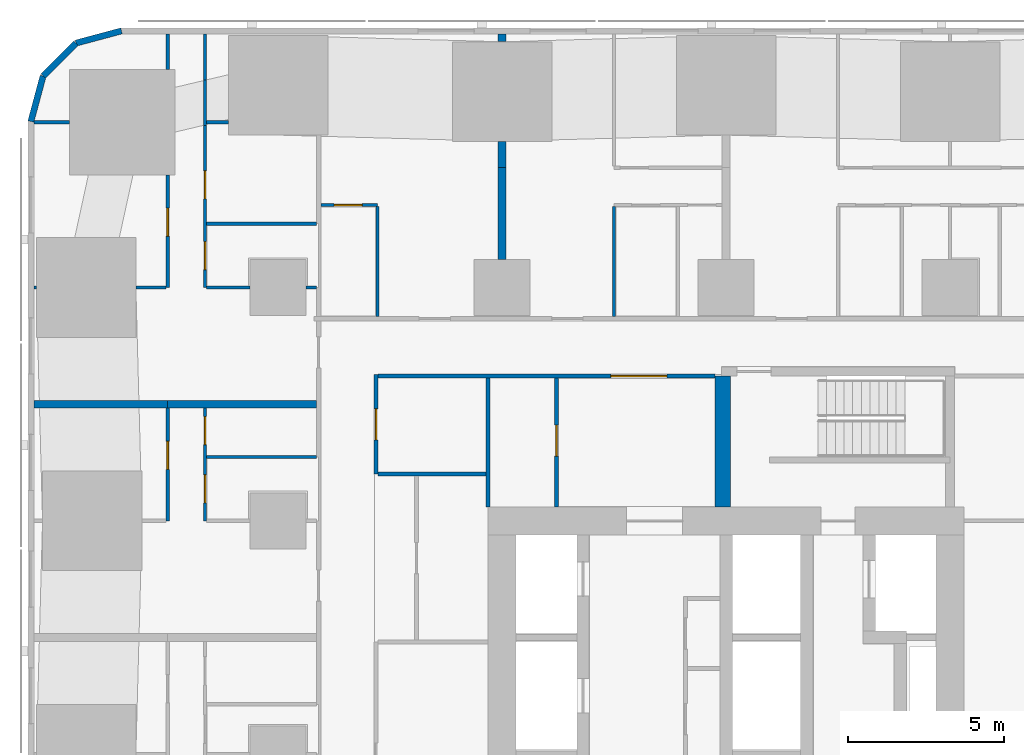
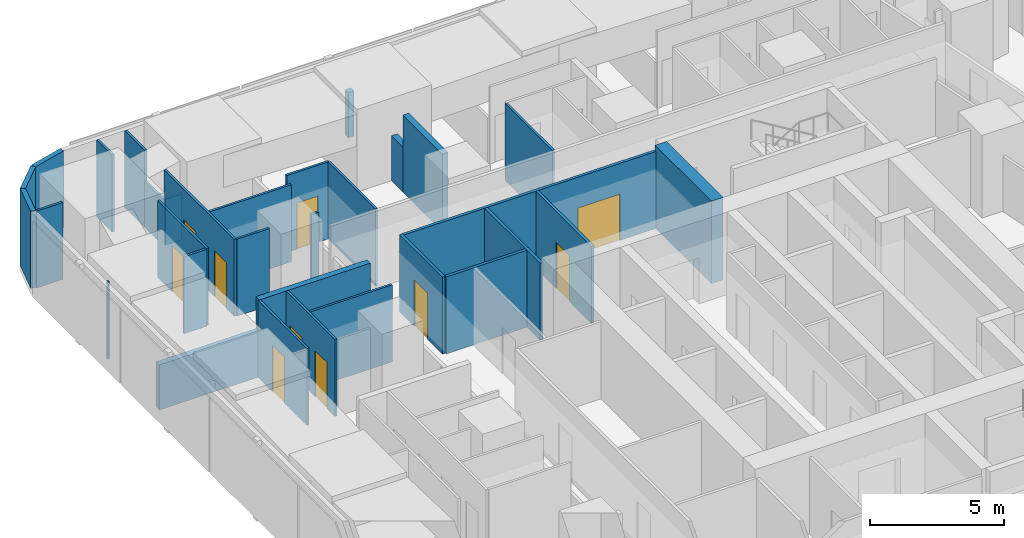
# One storey, part 11 of 17: 32 walls, 10 doors, 10 openings.
"""IFC4 building model written with IfcOpenShell, lengths in metres."""

from ifc_helpers import new_model, si_unit, direction, frame, frame_2d, origin, place, context, subcontext, project, spatial, rectangle, extrude, material, layer, layer_set, type_object, element, fill, save


model = new_model("IFC4")

# Units and contexts
model_context = context("Model", 3, precision=1e-05, world=origin(), true_north=direction((0.0, 1.0)))
body_context = subcontext(model_context, "Body", "Model", "MODEL_VIEW")
ifc_project = project(units=[si_unit("LENGTHUNIT", "METRE"), si_unit("AREAUNIT", "SQUARE_METRE"), si_unit("VOLUMEUNIT", "CUBIC_METRE"), si_unit("PLANEANGLEUNIT", "RADIAN"), si_unit("MASSUNIT", "GRAM", prefix="KILO")], contexts=[model_context])

# Site, building, storey
site_placement = place(None, origin())
site = spatial("IfcSite", under=ifc_project, at=site_placement, CompositionType="ELEMENT")
building_placement = place(site_placement, origin())
building = spatial("IfcBuilding", under=site, at=building_placement, Name="Sheger Commons Tower", CompositionType="ELEMENT")
storey_placement = place(building_placement, frame((0.0, 0.0, 27.5)))
storey = spatial("IfcBuildingStorey", under=building, at=storey_placement, Name="L06", CompositionType="ELEMENT", Elevation=27.5)

# Walls
ifc_material_1 = material(Name="Dense concrete block masonry, plastered both sides (separating wall between flats)", Category="masonry")
ifc_layer_1 = layer(ifc_material_1, 0.25)
ifc_layer_set_1 = layer_set([ifc_layer_1], Name="DEMISING WALL 250")
wall_type_1 = type_object("IfcWallType", Name="DEMISING WALL 250", PredefinedType="SOLIDWALL", material=ifc_layer_set_1)
wall_1_placement = place(storey_placement, frame((-0.64990234375, 33.75, 0.0), z_axis=(0.0, 0.0, 1.0), x_axis=(1.0, 0.0, 0.0)))
element("IfcWall", 1, at=wall_1_placement, inside=storey, type_object=wall_type_1, Name="Demising wall L06", PredefinedType="SOLIDWALL", context=body_context, shape_type="SweptSolid", body=[
    extrude(rectangle(XDim=4.2998046875, YDim=0.25, at=frame_2d((2.14990234375, 0.0))), origin(), (0.0, 0.0, 1.0), 2.050048828125),
])
wall_2_placement = place(storey_placement, frame((3.64990234375, 33.75, 0.0), z_axis=(0.0, 0.0, 1.0), x_axis=(1.0, 0.0, 0.0)))
element("IfcWall", 2, at=wall_2_placement, inside=storey, type_object=wall_type_1, Name="Demising wall L06", PredefinedType="SOLIDWALL", context=body_context, shape_type="SweptSolid", body=[
    extrude(rectangle(XDim=4.775146484375, YDim=0.25, at=frame_2d((2.3876953125, 0.0))), origin(), (0.0, 0.0, 1.0), 3.5),
])
wall_3_placement = place(storey_placement, frame((14.39990234375, 41.35009765625, 0.0), z_axis=(0.0, 0.0, 1.0), x_axis=(0.0, 1.0, 0.0)))
element("IfcWall", 3, at=wall_3_placement, inside=storey, type_object=wall_type_1, Name="Demising wall L06", PredefinedType="SOLIDWALL", context=body_context, shape_type="SweptSolid", body=[
    extrude(rectangle(XDim=0.848876953125, YDim=0.25, at=frame_2d((0.42431640625, 0.0))), origin(), (0.0, 0.0, 1.0), 2.050048828125),
])
wall_4_placement = place(storey_placement, frame((14.39990234375, 45.40087890625, 0.0), z_axis=(0.0, 0.0, 1.0), x_axis=(0.0, 1.0, 0.0)))
element("IfcWall", 4, at=wall_4_placement, inside=storey, type_object=wall_type_1, Name="Demising wall L06", PredefinedType="SOLIDWALL", context=body_context, shape_type="SweptSolid", body=[
    extrude(rectangle(XDim=0.2490234375, YDim=0.25, at=frame_2d((0.12451171875, 0.0))), origin(), (0.0, 0.0, 1.0), 2.050048828125),
])
wall_5_placement = place(storey_placement, frame((14.39990234375, 38.40087890625, 0.0), z_axis=(0.0, 0.0, 1.0), x_axis=(0.0, 1.0, 0.0)))
element("IfcWall", 5, at=wall_5_placement, inside=storey, type_object=wall_type_1, Name="Demising wall L06", PredefinedType="SOLIDWALL", context=body_context, shape_type="SweptSolid", body=[
    extrude(rectangle(XDim=2.94921875, YDim=0.25, at=frame_2d((1.474609375, 0.0))), origin(), (0.0, 0.0, 1.0), 3.5),
])
ifc_material_2 = material(Name="Rendered concrete block masonry, dark grey", Category="masonry")
ifc_layer_2 = layer(ifc_material_2, 0.199951171875)
ifc_layer_set_2 = layer_set([ifc_layer_2], Name="FACADE WALL 200")
wall_type_2 = type_object("IfcWallType", Name="FACADE WALL 200", PredefinedType="SOLIDWALL", material=ifc_layer_set_2)
wall_6_placement = place(storey_placement, frame((2.1630859375, 45.75, 0.0), z_axis=(0.0, 0.0, 1.0), x_axis=(-0.965832000415, -0.259168954497, 0.0)))
element("IfcWall", 6, at=wall_6_placement, inside=storey, type_object=wall_type_2, Name="Facade wall L06", PredefinedType="SOLIDWALL", context=body_context, shape_type="SweptSolid", body=[
    extrude(rectangle(XDim=1.512939453125, YDim=0.199951171875, at=frame_2d((0.75634765625, 0.0))), origin(), (0.0, 0.0, 1.0), 3.5),
])
wall_7_placement = place(storey_placement, frame((0.701904296875, 45.35791015625, 0.0), z_axis=(0.0, 0.0, 1.0), x_axis=(-0.707106781187, -0.707106781187, 0.0)))
element("IfcWall", 7, at=wall_7_placement, inside=storey, type_object=wall_type_2, Name="Facade wall L06", PredefinedType="SOLIDWALL", context=body_context, shape_type="SweptSolid", body=[
    extrude(rectangle(XDim=1.498779296875, YDim=0.199951171875, at=frame_2d((0.74951171875, 0.0))), origin(), (0.0, 0.0, 1.0), 3.5),
])
wall_8_placement = place(storey_placement, frame((-0.35791015625, 44.298095703125, 0.0), z_axis=(0.0, 0.0, 1.0), x_axis=(-0.259168954497, -0.965832000415, 0.0)))
element("IfcWall", 8, at=wall_8_placement, inside=storey, type_object=wall_type_2, Name="Facade wall L06", PredefinedType="SOLIDWALL", context=body_context, shape_type="SweptSolid", body=[
    extrude(rectangle(XDim=1.512939453125, YDim=0.199951171875, at=frame_2d((0.75634765625, 0.0))), origin(), (0.0, 0.0, 1.0), 3.5),
])

# Wall, opening, door
ifc_material_3 = material(Name="Gypsum board on steel studs", Category="steel")
ifc_layer_3 = layer(ifc_material_3, 0.10009765625)
ifc_layer_set_3 = layer_set([ifc_layer_3], Name="PARTITION 100")
wall_type_3 = type_object("IfcWallType", Name="PARTITION 100", PredefinedType="PARTITIONING", material=ifc_layer_set_3)
wall_9_placement = place(storey_placement, frame((3.64990234375, 30.0, 0.0), z_axis=(0.0, 0.0, 1.0), x_axis=(0.0, 1.0, 0.0)))
wall_9 = element("IfcWall", 9, at=wall_9_placement, inside=storey, type_object=wall_type_3, Name="Partition L06", PredefinedType="PARTITIONING", context=body_context, shape_type="SweptSolid", body=[
    extrude(rectangle(XDim=3.625, YDim=0.10009765625, at=frame_2d((1.8125, 0.0))), origin(), (0.0, 0.0, 1.0), 3.5),
])
opening_1_placement = place(wall_9_placement, frame((1.64990234375, 0.0, 0.0)))
opening_1 = element("IfcOpeningElement", 10, at=opening_1_placement, cuts=wall_9, Name="Opening D2", PredefinedType="OPENING", context=body_context, shape_type="SweptSolid", body=[
    extrude(rectangle(XDim=0.89990234375, YDim=2.10009765625, at=frame_2d((0.449951171875, 1.050048828125))), frame((0.0, 0.06005859375, 0.0), z_axis=(0.0, -1.0, 0.0), x_axis=(1.0, 0.0, 0.0)), (0.0, 0.0, 1.0), 0.1201171875),
])
ifc_material_4 = material(Name="Timber door set", Category="wood")
door_type_1 = type_object("IfcDoorType", Name="INTERNAL DOOR 900x2100", OperationType="NOTDEFINED", PredefinedType="DOOR", material=ifc_material_4)
door_1_placement = place(opening_1_placement, origin())
door_1 = element("IfcDoor", 11, at=door_1_placement, inside=storey, type_object=door_type_1, Name="Main bedroom door", OperationType="SINGLE_SWING_RIGHT", OverallHeight=2.10009765625, OverallWidth=0.89990234375, PredefinedType="DOOR", context=body_context, shape_type="SweptSolid", body=[
    extrude(rectangle(XDim=0.89990234375, YDim=2.10009765625, at=frame_2d((0.449951171875, 1.050048828125))), frame((0.0, 0.02490234375, 0.0), z_axis=(0.0, -1.0, 0.0), x_axis=(1.0, 0.0, 0.0)), (0.0, 0.0, 1.0), 0.050048828125),
])
fill(opening_1, door_1)

# Wall, openings, doors
wall_10_placement = place(storey_placement, frame((4.85009765625, 30.0, 0.0), z_axis=(0.0, 0.0, 1.0), x_axis=(0.0, 1.0, 0.0)))
wall_10 = element("IfcWall", 12, at=wall_10_placement, inside=storey, type_object=wall_type_3, Name="Partition L06", PredefinedType="PARTITIONING", context=body_context, shape_type="SweptSolid", body=[
    extrude(rectangle(XDim=3.625, YDim=0.10009765625, at=frame_2d((1.8125, 0.0))), origin(), (0.0, 0.0, 1.0), 3.5),
])
opening_2_placement = place(wall_10_placement, frame((0.574951171875, 0.0, 0.0)))
opening_2 = element("IfcOpeningElement", 13, at=opening_2_placement, cuts=wall_10, Name="Opening D2", PredefinedType="OPENING", context=body_context, shape_type="SweptSolid", body=[
    extrude(rectangle(XDim=0.89990234375, YDim=2.10009765625, at=frame_2d((0.449951171875, 1.050048828125))), frame((0.0, 0.06005859375, 0.0), z_axis=(0.0, -1.0, 0.0), x_axis=(1.0, 0.0, 0.0)), (0.0, 0.0, 1.0), 0.1201171875),
])
opening_3_placement = place(wall_10_placement, frame((2.449951171875, 0.0, 0.0)))
opening_3 = element("IfcOpeningElement", 14, at=opening_3_placement, cuts=wall_10, Name="Opening D2", PredefinedType="OPENING", context=body_context, shape_type="SweptSolid", body=[
    extrude(rectangle(XDim=0.89990234375, YDim=2.10009765625, at=frame_2d((0.449951171875, 1.050048828125))), frame((0.0, 0.06005859375, 0.0), z_axis=(0.0, -1.0, 0.0), x_axis=(1.0, 0.0, 0.0)), (0.0, 0.0, 1.0), 0.1201171875),
])
door_2_placement = place(opening_2_placement, origin())
door_2 = element("IfcDoor", 15, at=door_2_placement, inside=storey, type_object=door_type_1, Name="Bathroom door", OperationType="SINGLE_SWING_RIGHT", OverallHeight=2.10009765625, OverallWidth=0.89990234375, PredefinedType="DOOR", context=body_context, shape_type="SweptSolid", body=[
    extrude(rectangle(XDim=0.89990234375, YDim=2.10009765625, at=frame_2d((0.449951171875, 1.050048828125))), frame((0.0, 0.02490234375, 0.0), z_axis=(0.0, -1.0, 0.0), x_axis=(1.0, 0.0, 0.0)), (0.0, 0.0, 1.0), 0.050048828125),
])
fill(opening_2, door_2)
door_3_placement = place(opening_3_placement, origin())
door_3 = element("IfcDoor", 16, at=door_3_placement, inside=storey, type_object=door_type_1, Name="Store door", OperationType="SINGLE_SWING_LEFT", OverallHeight=2.10009765625, OverallWidth=0.89990234375, PredefinedType="DOOR", context=body_context, shape_type="SweptSolid", body=[
    extrude(rectangle(XDim=0.89990234375, YDim=2.10009765625, at=frame_2d((0.449951171875, 1.050048828125))), frame((0.0, 0.02490234375, 0.0), z_axis=(0.0, -1.0, 0.0), x_axis=(1.0, 0.0, 0.0)), (0.0, 0.0, 1.0), 0.050048828125),
])
fill(opening_3, door_3)

# Wall
wall_11_placement = place(storey_placement, frame((4.89990234375, 32.050048828125, 0.0), z_axis=(0.0, 0.0, 1.0), x_axis=(1.0, 0.0, 0.0)))
element("IfcWall", 17, at=wall_11_placement, inside=storey, type_object=wall_type_3, Name="Partition L06", PredefinedType="PARTITIONING", context=body_context, shape_type="SweptSolid", body=[
    extrude(rectangle(XDim=3.525146484375, YDim=0.10009765625, at=frame_2d((1.7626953125, 0.0))), origin(), (0.0, 0.0, 1.0), 3.5),
])

# Wall, opening, door
wall_12_placement = place(storey_placement, frame((3.64990234375, 37.5, 0.0), z_axis=(0.0, 0.0, 1.0), x_axis=(0.0, 1.0, 0.0)))
wall_12 = element("IfcWall", 18, at=wall_12_placement, inside=storey, type_object=wall_type_3, Name="Partition L06", PredefinedType="PARTITIONING", context=body_context, shape_type="SweptSolid", body=[
    extrude(rectangle(XDim=3.613037109375, YDim=0.10009765625, at=frame_2d((1.806640625, 0.0))), origin(), (0.0, 0.0, 1.0), 3.5),
])
opening_4_placement = place(wall_12_placement, frame((1.64990234375, 0.0, 0.0)))
opening_4 = element("IfcOpeningElement", 19, at=opening_4_placement, cuts=wall_12, Name="Opening D2", PredefinedType="OPENING", context=body_context, shape_type="SweptSolid", body=[
    extrude(rectangle(XDim=0.89990234375, YDim=2.10009765625, at=frame_2d((0.449951171875, 1.050048828125))), frame((0.0, 0.06005859375, 0.0), z_axis=(0.0, -1.0, 0.0), x_axis=(1.0, 0.0, 0.0)), (0.0, 0.0, 1.0), 0.1201171875),
])
door_4_placement = place(opening_4_placement, origin())
door_4 = element("IfcDoor", 20, at=door_4_placement, inside=storey, type_object=door_type_1, Name="Main bedroom door", OperationType="SINGLE_SWING_RIGHT", OverallHeight=2.10009765625, OverallWidth=0.89990234375, PredefinedType="DOOR", context=body_context, shape_type="SweptSolid", body=[
    extrude(rectangle(XDim=0.89990234375, YDim=2.10009765625, at=frame_2d((0.449951171875, 1.050048828125))), frame((0.0, 0.02490234375, 0.0), z_axis=(0.0, -1.0, 0.0), x_axis=(1.0, 0.0, 0.0)), (0.0, 0.0, 1.0), 0.050048828125),
])
fill(opening_4, door_4)

# Wall
wall_13_placement = place(storey_placement, frame((3.64990234375, 44.514892578125, 0.0), z_axis=(0.0, 0.0, 1.0), x_axis=(0.0, 1.0, 0.0)))
element("IfcWall", 21, at=wall_13_placement, inside=storey, type_object=wall_type_3, Name="Partition L06", PredefinedType="PARTITIONING", context=body_context, shape_type="SweptSolid", body=[
    extrude(rectangle(XDim=1.135009765625, YDim=0.10009765625, at=frame_2d((0.5673828125, 0.0))), origin(), (0.0, 0.0, 1.0), 3.5),
])

# Wall, openings, doors
wall_14_placement = place(storey_placement, frame((4.85009765625, 37.5, 0.0), z_axis=(0.0, 0.0, 1.0), x_axis=(0.0, 1.0, 0.0)))
wall_14 = element("IfcWall", 22, at=wall_14_placement, inside=storey, type_object=wall_type_3, Name="Partition L06", PredefinedType="PARTITIONING", context=body_context, shape_type="SweptSolid", body=[
    extrude(rectangle(XDim=5.212890625, YDim=0.10009765625, at=frame_2d((2.6064453125, 0.0))), origin(), (0.0, 0.0, 1.0), 3.5),
])
opening_5_placement = place(wall_14_placement, frame((0.574951171875, 0.0, 0.0)))
opening_5 = element("IfcOpeningElement", 23, at=opening_5_placement, cuts=wall_14, Name="Opening D2", PredefinedType="OPENING", context=body_context, shape_type="SweptSolid", body=[
    extrude(rectangle(XDim=0.89990234375, YDim=2.10009765625, at=frame_2d((0.449951171875, 1.050048828125))), frame((0.0, 0.06005859375, 0.0), z_axis=(0.0, -1.0, 0.0), x_axis=(1.0, 0.0, 0.0)), (0.0, 0.0, 1.0), 0.1201171875),
])
opening_6_placement = place(wall_14_placement, frame((2.85009765625, 0.0, 0.0)))
opening_6 = element("IfcOpeningElement", 24, at=opening_6_placement, cuts=wall_14, Name="Opening D2", PredefinedType="OPENING", context=body_context, shape_type="SweptSolid", body=[
    extrude(rectangle(XDim=0.89990234375, YDim=2.10009765625, at=frame_2d((0.449951171875, 1.050048828125))), frame((0.0, 0.06005859375, 0.0), z_axis=(0.0, -1.0, 0.0), x_axis=(1.0, 0.0, 0.0)), (0.0, 0.0, 1.0), 0.1201171875),
])
door_5_placement = place(opening_5_placement, origin())
door_5 = element("IfcDoor", 25, at=door_5_placement, inside=storey, type_object=door_type_1, Name="Bathroom door", OperationType="SINGLE_SWING_RIGHT", OverallHeight=2.10009765625, OverallWidth=0.89990234375, PredefinedType="DOOR", context=body_context, shape_type="SweptSolid", body=[
    extrude(rectangle(XDim=0.89990234375, YDim=2.10009765625, at=frame_2d((0.449951171875, 1.050048828125))), frame((0.0, 0.02490234375, 0.0), z_axis=(0.0, -1.0, 0.0), x_axis=(1.0, 0.0, 0.0)), (0.0, 0.0, 1.0), 0.050048828125),
])
fill(opening_5, door_5)
door_6_placement = place(opening_6_placement, origin())
door_6 = element("IfcDoor", 26, at=door_6_placement, inside=storey, type_object=door_type_1, Name="Store door", OperationType="SINGLE_SWING_RIGHT", OverallHeight=2.10009765625, OverallWidth=0.89990234375, PredefinedType="DOOR", context=body_context, shape_type="SweptSolid", body=[
    extrude(rectangle(XDim=0.89990234375, YDim=2.10009765625, at=frame_2d((0.449951171875, 1.050048828125))), frame((0.0, 0.02490234375, 0.0), z_axis=(0.0, -1.0, 0.0), x_axis=(1.0, 0.0, 0.0)), (0.0, 0.0, 1.0), 0.050048828125),
])
fill(opening_6, door_6)

# Walls
wall_15_placement = place(storey_placement, frame((4.85009765625, 42.712890625, 0.0), z_axis=(0.0, 0.0, 1.0), x_axis=(0.0, 1.0, 0.0)))
element("IfcWall", 27, at=wall_15_placement, inside=storey, type_object=wall_type_3, Name="Partition L06", PredefinedType="PARTITIONING", context=body_context, shape_type="SweptSolid", body=[
    extrude(rectangle(XDim=1.462158203125, YDim=0.10009765625, at=frame_2d((0.73095703125, 0.0))), origin(), (0.0, 0.0, 1.0), 2.10009765625),
])
wall_16_placement = place(storey_placement, frame((4.85009765625, 44.175048828125, 0.0), z_axis=(0.0, 0.0, 1.0), x_axis=(0.0, 1.0, 0.0)))
element("IfcWall", 28, at=wall_16_placement, inside=storey, type_object=wall_type_3, Name="Partition L06", PredefinedType="PARTITIONING", context=body_context, shape_type="SweptSolid", body=[
    extrude(rectangle(XDim=1.474853515625, YDim=0.10009765625, at=frame_2d((0.7373046875, 0.0))), origin(), (0.0, 0.0, 1.0), 3.5),
])
wall_17_placement = place(storey_placement, frame((-0.64990234375, 37.5, 0.0), z_axis=(0.0, 0.0, 1.0), x_axis=(1.0, 0.0, 0.0)))
element("IfcWall", 29, at=wall_17_placement, inside=storey, type_object=wall_type_3, Name="Partition L06", PredefinedType="PARTITIONING", context=body_context, shape_type="SweptSolid", body=[
    extrude(rectangle(XDim=0.073974609375, YDim=0.10009765625, at=frame_2d((0.037109375, 0.0))), origin(), (0.0, 0.0, 1.0), 3.5),
])
wall_18_placement = place(storey_placement, frame((2.6259765625, 37.5, 0.0), z_axis=(0.0, 0.0, 1.0), x_axis=(1.0, 0.0, 0.0)))
element("IfcWall", 30, at=wall_18_placement, inside=storey, type_object=wall_type_3, Name="Partition L06", PredefinedType="PARTITIONING", context=body_context, shape_type="SweptSolid", body=[
    extrude(rectangle(XDim=0.97412109375, YDim=0.10009765625, at=frame_2d((0.487060546875, 0.0))), origin(), (0.0, 0.0, 1.0), 3.5),
])
wall_19_placement = place(storey_placement, frame((-0.64990234375, 42.81396484375, 0.0), z_axis=(0.0, 0.0, 1.0), x_axis=(1.0, 0.0, 0.0)))
element("IfcWall", 31, at=wall_19_placement, inside=storey, type_object=wall_type_3, Name="Partition L06", PredefinedType="PARTITIONING", context=body_context, shape_type="SweptSolid", body=[
    extrude(rectangle(XDim=1.135009765625, YDim=0.10009765625, at=frame_2d((0.5673828125, 0.0))), origin(), (0.0, 0.0, 1.0), 3.5),
])
wall_20_placement = place(storey_placement, frame((4.89990234375, 37.5, 0.0), z_axis=(0.0, 0.0, 1.0), x_axis=(1.0, 0.0, 0.0)))
element("IfcWall", 32, at=wall_20_placement, inside=storey, type_object=wall_type_3, Name="Partition L06", PredefinedType="PARTITIONING", context=body_context, shape_type="SweptSolid", body=[
    extrude(rectangle(XDim=1.399169921875, YDim=0.10009765625, at=frame_2d((0.69970703125, 0.0))), origin(), (0.0, 0.0, 1.0), 3.5),
])
wall_21_placement = place(storey_placement, frame((8.10107421875, 37.5, 0.0), z_axis=(0.0, 0.0, 1.0), x_axis=(1.0, 0.0, 0.0)))
element("IfcWall", 33, at=wall_21_placement, inside=storey, type_object=wall_type_3, Name="Partition L06", PredefinedType="PARTITIONING", context=body_context, shape_type="SweptSolid", body=[
    extrude(rectangle(XDim=0.323974609375, YDim=0.10009765625, at=frame_2d((0.162109375, 0.0))), origin(), (0.0, 0.0, 1.0), 3.5),
])
wall_22_placement = place(storey_placement, frame((4.89990234375, 42.81396484375, 0.0), z_axis=(0.0, 0.0, 1.0), x_axis=(1.0, 0.0, 0.0)))
element("IfcWall", 34, at=wall_22_placement, inside=storey, type_object=wall_type_3, Name="Partition L06", PredefinedType="PARTITIONING", context=body_context, shape_type="SweptSolid", body=[
    extrude(rectangle(XDim=0.69921875, YDim=0.10009765625, at=frame_2d((0.349609375, 0.0))), origin(), (0.0, 0.0, 1.0), 2.10009765625),
])
wall_23_placement = place(storey_placement, frame((4.89990234375, 39.550048828125, 0.0), z_axis=(0.0, 0.0, 1.0), x_axis=(1.0, 0.0, 0.0)))
element("IfcWall", 35, at=wall_23_placement, inside=storey, type_object=wall_type_3, Name="Partition L06", PredefinedType="PARTITIONING", context=body_context, shape_type="SweptSolid", body=[
    extrude(rectangle(XDim=3.525146484375, YDim=0.10009765625, at=frame_2d((1.7626953125, 0.0))), origin(), (0.0, 0.0, 1.0), 3.5),
])

# Wall, opening, door
wall_24_placement = place(storey_placement, frame((8.574951171875, 40.14990234375, 0.0), z_axis=(0.0, 0.0, 1.0), x_axis=(1.0, 0.0, 0.0)))
wall_24 = element("IfcWall", 36, at=wall_24_placement, inside=storey, type_object=wall_type_3, Name="Partition L06", PredefinedType="PARTITIONING", context=body_context, shape_type="SweptSolid", body=[
    extrude(rectangle(XDim=1.81494140625, YDim=0.10009765625, at=frame_2d((0.907470703125, 0.0))), origin(), (0.0, 0.0, 1.0), 3.5),
])
opening_7_placement = place(wall_24_placement, frame((0.425048828125, 0.0, 0.0)))
opening_7 = element("IfcOpeningElement", 37, at=opening_7_placement, cuts=wall_24, Name="Opening D2", PredefinedType="OPENING", context=body_context, shape_type="SweptSolid", body=[
    extrude(rectangle(XDim=0.89990234375, YDim=2.10009765625, at=frame_2d((0.449951171875, 1.050048828125))), frame((0.0, 0.06005859375, 0.0), z_axis=(0.0, -1.0, 0.0), x_axis=(1.0, 0.0, 0.0)), (0.0, 0.0, 1.0), 0.1201171875),
])
door_7_placement = place(opening_7_placement, origin())
door_7 = element("IfcDoor", 38, at=door_7_placement, inside=storey, type_object=door_type_1, Name="Shower room door", OperationType="SINGLE_SWING_RIGHT", OverallHeight=2.10009765625, OverallWidth=0.89990234375, PredefinedType="DOOR", context=body_context, shape_type="SweptSolid", body=[
    extrude(rectangle(XDim=0.89990234375, YDim=2.10009765625, at=frame_2d((0.449951171875, 1.050048828125))), frame((0.0, 0.02490234375, 0.0), z_axis=(0.0, -1.0, 0.0), x_axis=(1.0, 0.0, 0.0)), (0.0, 0.0, 1.0), 0.050048828125),
])
fill(opening_7, door_7)

# Walls
for number, where, z_axis, x_axis, name in (
    (39, (10.389892578125, 36.574951171875, 0.0), (0.0, 0.0, 1.0), (0.0, 1.0, 0.0), "Partition L06"),
    (40, (18.0, 36.574951171875, 0.0), (0.0, 0.0, 1.0), (0.0, 1.0, 0.0), "Partition L06"),
):
    element("IfcWall", number, at=place(storey_placement, frame(where, z_axis=z_axis, x_axis=x_axis)), inside=storey, type_object=wall_type_3, Name=name, PredefinedType="PARTITIONING", context=body_context, shape_type="SweptSolid", body=[
        extrude(rectangle(XDim=3.525146484375, YDim=0.10009765625, at=frame_2d((1.7626953125, 0.0))), origin(), (0.0, 0.0, 1.0), 3.5),
    ])

# Wall, opening, door
ifc_material_5 = material(Name="Gypsum board on steel studs, two layers each side, fire rated", Category="steel")
ifc_layer_4 = layer(ifc_material_5, 0.125)
ifc_layer_set_4 = layer_set([ifc_layer_4], Name="SERVICE WALL 125")
wall_type_4 = type_object("IfcWallType", Name="SERVICE WALL 125", PredefinedType="PARTITIONING", material=ifc_layer_set_4)
wall_25_placement = place(storey_placement, frame((10.35009765625, 31.5, 0.0), z_axis=(0.0, 0.0, 1.0), x_axis=(0.0, 1.0, 0.0)))
wall_25 = element("IfcWall", 41, at=wall_25_placement, inside=storey, type_object=wall_type_4, Name="Service room wall L06", PredefinedType="PARTITIONING", context=body_context, shape_type="SweptSolid", body=[
    extrude(rectangle(XDim=3.199951171875, YDim=0.125, at=frame_2d((1.60009765625, 0.0))), origin(), (0.0, 0.0, 1.0), 3.5),
])
opening_8_placement = place(wall_25_placement, frame((1.10009765625, 0.0, 0.0)))
opening_8 = element("IfcOpeningElement", 42, at=opening_8_placement, cuts=wall_25, Name="Opening D4", PredefinedType="OPENING", context=body_context, shape_type="SweptSolid", body=[
    extrude(rectangle(XDim=1.0, YDim=2.10009765625, at=frame_2d((0.5, 1.050048828125))), frame((0.0, 0.072509765625, 0.0), z_axis=(0.0, -1.0, 0.0), x_axis=(1.0, 0.0, 0.0)), (0.0, 0.0, 1.0), 0.14501953125),
])
ifc_material_6 = material(Name="Steel door set, fire rated", Category="steel")
door_type_2 = type_object("IfcDoorType", Name="SERVICE DOOR 1000x2100", OperationType="NOTDEFINED", PredefinedType="DOOR", material=ifc_material_6)
door_8_placement = place(opening_8_placement, origin())
door_8 = element("IfcDoor", 43, at=door_8_placement, inside=storey, type_object=door_type_2, Name="Cleaner's store door", OperationType="SINGLE_SWING_LEFT", OverallHeight=2.10009765625, OverallWidth=1.0, PredefinedType="DOOR", context=body_context, shape_type="SweptSolid", body=[
    extrude(rectangle(XDim=1.0, YDim=2.10009765625, at=frame_2d((0.5, 1.050048828125))), frame((0.0, 0.02490234375, 0.0), z_axis=(0.0, -1.0, 0.0), x_axis=(1.0, 0.0, 0.0)), (0.0, 0.0, 1.0), 0.050048828125),
])
fill(opening_8, door_8)

# Walls
wall_26_placement = place(storey_placement, frame((10.4130859375, 31.5, 0.0), z_axis=(0.0, 0.0, 1.0), x_axis=(1.0, 0.0, 0.0)))
element("IfcWall", 44, at=wall_26_placement, inside=storey, type_object=wall_type_4, Name="Service room wall L06", PredefinedType="PARTITIONING", context=body_context, shape_type="SweptSolid", body=[
    extrude(rectangle(XDim=3.474853515625, YDim=0.125, at=frame_2d((1.7373046875, 0.0))), origin(), (0.0, 0.0, 1.0), 3.5),
])
wall_27_placement = place(storey_placement, frame((13.949951171875, 30.449951171875, 0.0), z_axis=(0.0, 0.0, 1.0), x_axis=(0.0, 1.0, 0.0)))
element("IfcWall", 45, at=wall_27_placement, inside=storey, type_object=wall_type_4, Name="Service room wall L06", PredefinedType="PARTITIONING", context=body_context, shape_type="SweptSolid", body=[
    extrude(rectangle(XDim=4.136962890625, YDim=0.125, at=frame_2d((2.068359375, 0.0))), origin(), (0.0, 0.0, 1.0), 3.5),
])

# Wall, opening, door
wall_28_placement = place(storey_placement, frame((10.4130859375, 34.64990234375, 0.0), z_axis=(0.0, 0.0, 1.0), x_axis=(1.0, 0.0, 0.0)))
wall_28 = element("IfcWall", 46, at=wall_28_placement, inside=storey, type_object=wall_type_4, Name="Service room wall L06", PredefinedType="PARTITIONING", context=body_context, shape_type="SweptSolid", body=[
    extrude(rectangle(XDim=10.8369140625, YDim=0.125, at=frame_2d((5.41845703125, 0.0))), origin(), (0.0, 0.0, 1.0), 3.5),
])
opening_9_placement = place(wall_28_placement, frame((7.487060546875, 0.0, 0.0)))
opening_9 = element("IfcOpeningElement", 47, at=opening_9_placement, cuts=wall_28, Name="Opening D6", PredefinedType="OPENING", context=body_context, shape_type="SweptSolid", body=[
    extrude(rectangle(XDim=1.800048828125, YDim=2.10009765625, at=frame_2d((0.89990234375, 1.050048828125))), frame((0.0, 0.072509765625, 0.0), z_axis=(0.0, -1.0, 0.0), x_axis=(1.0, 0.0, 0.0)), (0.0, 0.0, 1.0), 0.14501953125),
])
ifc_material_7 = material(Name="Steel door set, fire rated", Category="steel")
door_type_3 = type_object("IfcDoorType", Name="LOBBY DOUBLE DOOR 1800x2100", OperationType="DOUBLE_DOOR_SINGLE_SWING", PredefinedType="DOOR", material=ifc_material_7)
door_9_placement = place(opening_9_placement, origin())
door_9 = element("IfcDoor", 48, at=door_9_placement, inside=storey, type_object=door_type_3, Name="Lift lobby north door", OperationType="DOUBLE_DOOR_SINGLE_SWING", OverallHeight=2.10009765625, OverallWidth=1.800048828125, PredefinedType="DOOR", context=body_context, shape_type="SweptSolid", body=[
    extrude(rectangle(XDim=1.800048828125, YDim=2.10009765625, at=frame_2d((0.89990234375, 1.050048828125))), frame((0.0, 0.02490234375, 0.0), z_axis=(0.0, -1.0, 0.0), x_axis=(1.0, 0.0, 0.0)), (0.0, 0.0, 1.0), 0.050048828125),
])
fill(opening_9, door_9)

wall_29_placement = place(storey_placement, frame((16.14990234375, 30.449951171875, 0.0), z_axis=(0.0, 0.0, 1.0), x_axis=(0.0, 1.0, 0.0)))
wall_29 = element("IfcWall", 49, at=wall_29_placement, inside=storey, type_object=wall_type_4, Name="Service room wall L06", PredefinedType="PARTITIONING", context=body_context, shape_type="SweptSolid", body=[
    extrude(rectangle(XDim=4.136962890625, YDim=0.125, at=frame_2d((2.068359375, 0.0))), origin(), (0.0, 0.0, 1.0), 3.5),
])
opening_10_placement = place(wall_29_placement, frame((1.625, 0.0, 0.0)))
opening_10 = element("IfcOpeningElement", 50, at=opening_10_placement, cuts=wall_29, Name="Opening D4", PredefinedType="OPENING", context=body_context, shape_type="SweptSolid", body=[
    extrude(rectangle(XDim=1.0, YDim=2.10009765625, at=frame_2d((0.5, 1.050048828125))), frame((0.0, 0.072509765625, 0.0), z_axis=(0.0, -1.0, 0.0), x_axis=(1.0, 0.0, 0.0)), (0.0, 0.0, 1.0), 0.14501953125),
])
door_10_placement = place(opening_10_placement, origin())
door_10 = element("IfcDoor", 51, at=door_10_placement, inside=storey, type_object=door_type_2, Name="Telecom room door", OperationType="SINGLE_SWING_RIGHT", OverallHeight=2.10009765625, OverallWidth=1.0, PredefinedType="DOOR", context=body_context, shape_type="SweptSolid", body=[
    extrude(rectangle(XDim=1.0, YDim=2.10009765625, at=frame_2d((0.5, 1.050048828125))), frame((0.0, 0.02490234375, 0.0), z_axis=(0.0, -1.0, 0.0), x_axis=(1.0, 0.0, 0.0)), (0.0, 0.0, 1.0), 0.050048828125),
])
fill(opening_10, door_10)

# Wall
ifc_material_8 = material(Name="Concrete C50/60", Category="concrete")
ifc_layer_5 = layer(ifc_material_8, 0.5)
ifc_layer_set_5 = layer_set([ifc_layer_5], Name="STAIR CORE WALL 500")
wall_type_5 = type_object("IfcWallType", Name="STAIR CORE WALL 500", PredefinedType="SHEAR", material=ifc_layer_set_5)
wall_30_placement = place(storey_placement, frame((21.5, 30.449951171875, 0.0), z_axis=(0.0, 0.0, 1.0), x_axis=(0.0, 1.0, 0.0)))
element("IfcWall", 52, at=wall_30_placement, inside=storey, type_object=wall_type_5, Name="STW-L06-S2W", PredefinedType="SHEAR", context=body_context, shape_type="SweptSolid", body=[
    extrude(rectangle(XDim=4.199951171875, YDim=0.5, at=frame_2d((2.10009765625, 0.0))), origin(), (0.0, 0.0, 1.0), 3.75),
])

save(model, "model.ifc")
